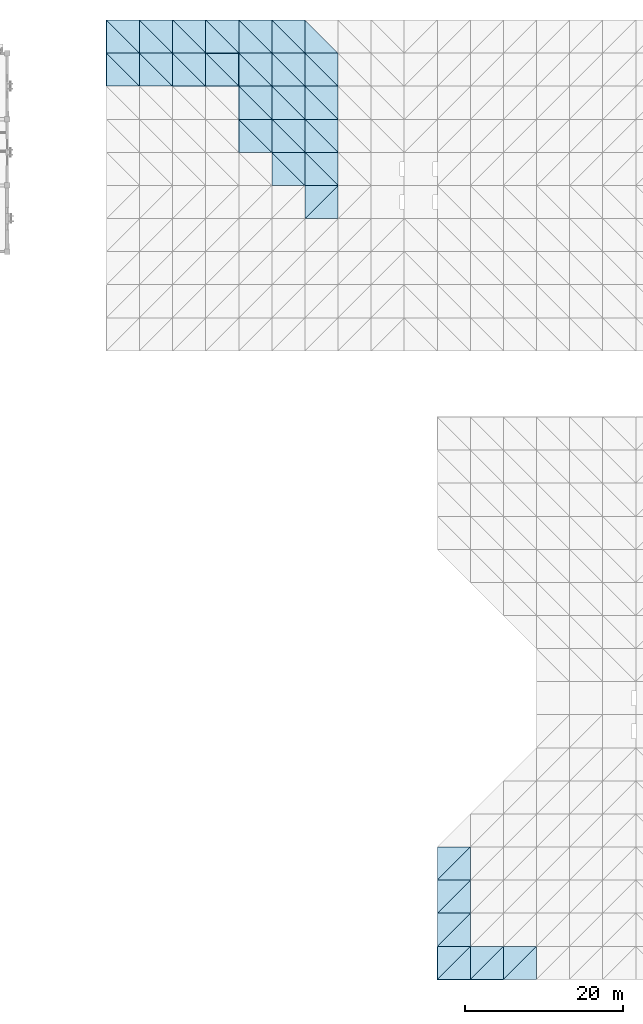
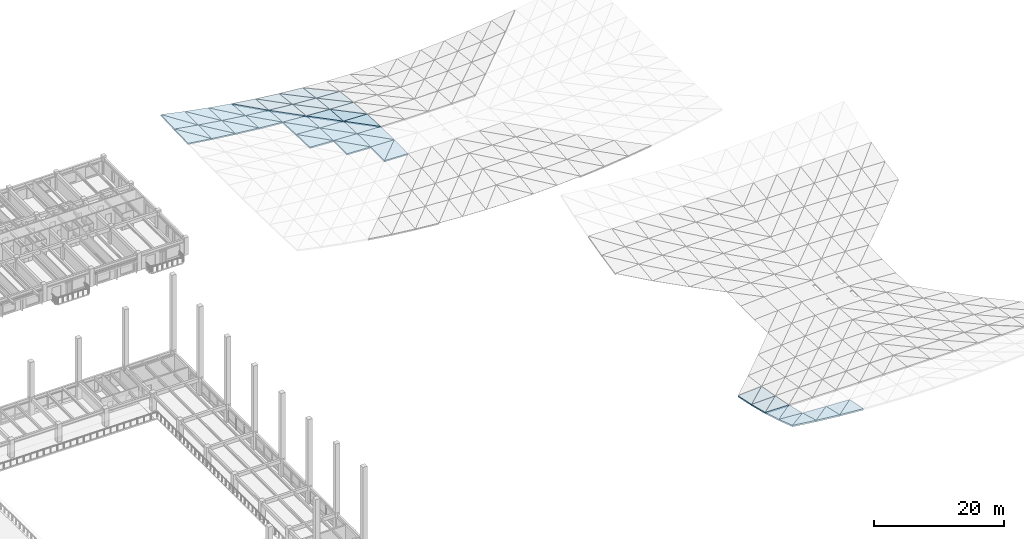
# One storey, part 20 of 64: 57 slabs.
"""IFC4 building model written with IfcOpenShell, lengths in metres."""

from ifc_helpers import new_model, si_unit, direction, frame, origin, place, context, subcontext, project, spatial, polyline, outline, extrude, material, layer, layer_set, type_object, element, save


model = new_model("IFC4")

# Units and contexts
model_context = context("Model", 3, precision=1e-05, world=origin(), true_north=direction((0.0, 1.0)))
body_context = subcontext(model_context, "Body", "Model", "MODEL_VIEW")
ifc_project = project(units=[si_unit("LENGTHUNIT", "METRE"), si_unit("AREAUNIT", "SQUARE_METRE"), si_unit("VOLUMEUNIT", "CUBIC_METRE"), si_unit("PLANEANGLEUNIT", "RADIAN"), si_unit("MASSUNIT", "GRAM", prefix="KILO")], contexts=[model_context])

# Site, building, storey
site_placement = place(None, origin())
site = spatial("IfcSite", under=ifc_project, at=site_placement, CompositionType="ELEMENT")
building_placement = place(site_placement, origin())
building = spatial("IfcBuilding", under=site, at=building_placement, Name="Cumbredor Promenade Congress Hotel", CompositionType="ELEMENT")
storey_placement = place(building_placement, frame((0.0, 0.0, 18.47998046875)))
storey = spatial("IfcBuildingStorey", under=building, at=storey_placement, Name="L05", CompositionType="ELEMENT", Elevation=18.47998046875)

# Slabs
ifc_material = material(Name="Concrete C40/50", Category="concrete")
ifc_layer = layer(ifc_material, 0.25, Name="Concrete C40/50", Category="concrete")
ifc_layer_set = layer_set([ifc_layer], Name="Concrete C40/50")
slab_type = type_object("IfcSlabType", Name="Catenary Space Frame Roof Deck 250mm", PredefinedType="ROOF", material=ifc_layer_set)
slab_1_placement = place(storey_placement, frame((138.60009765625, 0.0, 4.719970703125), z_axis=(0.118242562971, 0.267282671727, 0.956336065249), x_axis=(0.992442958388, 0.0, -0.122706863483)))
element("IfcSlab", 1, at=slab_1_placement, inside=storey, type_object=slab_type, Name="Grand Ballroom Pavilion Sweeping Roof Deck Facet 1.1.1", PredefinedType="ROOF", context=body_context, shape_type="SweptSolid", body=[
    extrude(outline(polyline([(0.0, 0.0), (4.231932058539838, 0.0), (4.375968826026281, 4.3585221948255874), (0.0, 0.0)])), origin(), (0.0, 0.0, -1.0), 0.25),
])
slab_2_placement = place(storey_placement, frame((138.60009765625, 0.0, 4.719970703125), z_axis=(0.06211809951, 0.31911112182, 0.945679350332), x_axis=(0.680018566113, 0.680018566113, -0.274134090333)))
element("IfcSlab", 2, at=slab_2_placement, inside=storey, type_object=slab_type, Name="Grand Ballroom Pavilion Sweeping Roof Deck Facet 1.1.2", PredefinedType="ROOF", context=body_context, shape_type="SweptSolid", body=[
    extrude(outline(polyline([(0.0, 0.0), (6.176230151892098, 5.551115123125783e-17), (3.2445575652412004, 3.0200984854351223), (0.0, 0.0)])), origin(), (0.0, 0.0, -1.0), 0.25),
])
slab_3_placement = place(storey_placement, frame((138.60009765625, 4.199951171875, 3.302734375), z_axis=(0.063677329507, 0.237014909652, 0.96941690222), x_axis=(0.997849616578, 0.0, -0.065544966967)))
element("IfcSlab", 3, at=slab_3_placement, inside=storey, type_object=slab_type, Name="Grand Ballroom Pavilion Sweeping Roof Deck Facet 1.2.1", PredefinedType="ROOF", context=body_context, shape_type="SweptSolid", body=[
    extrude(outline(polyline([(0.0, 0.0), (4.20900214029975, 0.0), (4.276307348078858, 4.323134511999573), (0.0, 0.0)])), origin(), (0.0, 0.0, -1.0), 0.25),
])
slab_4_placement = place(storey_placement, frame((138.60009765625, 4.199951171875, 3.302734375), z_axis=(0.014270419039, 0.283178627796, 0.958961010626), x_axis=(0.69068899424, 0.69068899424, -0.21423684667)))
element("IfcSlab", 4, at=slab_4_placement, inside=storey, type_object=slab_type, Name="Grand Ballroom Pavilion Sweeping Roof Deck Facet 1.2.2", PredefinedType="ROOF", context=body_context, shape_type="SweptSolid", body=[
    extrude(outline(polyline([(0.0, 0.0), (6.080813806068643, 8.326672684688674e-17), (3.166563952391797, 3.0250031217304003), (0.0, 0.0)])), origin(), (0.0, 0.0, -1.0), 0.25),
])
slab_5_placement = place(storey_placement, frame((138.60009765625, 8.39990234375, 2.0625), z_axis=(0.014563084466, 0.205122773939, 0.978627898735), x_axis=(0.99988929444, 0.0, -0.014879477962)))
element("IfcSlab", 5, at=slab_5_placement, inside=storey, type_object=slab_type, Name="Grand Ballroom Pavilion Sweeping Roof Deck Facet 1.3.1", PredefinedType="ROOF", context=body_context, shape_type="SweptSolid", body=[
    extrude(outline(polyline([(0.0, 0.0), (4.200416181300871, 1.734723475976807e-18), (4.213515643588519, 4.291447579773674), (0.0, 0.0)])), origin(), (0.0, 0.0, -1.0), 0.25),
])
slab_6_placement = place(storey_placement, frame((138.60009765625, 8.39990234375, 2.0625), z_axis=(-0.027714884433, 0.24525120471, 0.969063327017), x_axis=(0.698342651801, 0.698383246037, -0.156774941653)))
element("IfcSlab", 6, at=slab_6_placement, inside=storey, type_object=slab_type, Name="Grand Ballroom Pavilion Sweeping Roof Deck Facet 1.3.2", PredefinedType="ROOF", context=body_context, shape_type="SweptSolid", body=[
    extrude(outline(polyline([(0.0, 0.0), (6.01416963584421, 1.3877787807814457e-16), (3.099995962105173, 3.0268151222288786), (0.0, 0.0)])), origin(), (0.0, 0.0, -1.0), 0.25),
])
slab_7_placement = place(storey_placement, frame((138.60009765625, 12.60009765625, 0.99951171875), z_axis=(-0.028161900128, 0.172005101393, 0.984693430706), x_axis=(0.999591280357, 0.0, 0.028587973606)))
element("IfcSlab", 7, at=slab_7_placement, inside=storey, type_object=slab_type, Name="Grand Ballroom Pavilion Sweeping Roof Deck Facet 1.4.1", PredefinedType="ROOF", context=body_context, shape_type="SweptSolid", body=[
    extrude(outline(polyline([(0.0, 0.0), (4.2016684763159375, 0.0), (4.180695121656626, 4.263494036229725), (0.0, 0.0)])), origin(), (0.0, 0.0, -1.0), 0.25),
])
slab_8_placement = place(storey_placement, frame((138.60009765625, 12.60009765625, 0.99951171875), z_axis=(-0.063292145756, 0.205940721797, 0.976515500845), x_axis=(0.703364441624, 0.703364441624, -0.102746895414)))
element("IfcSlab", 8, at=slab_8_placement, inside=storey, type_object=slab_type, Name="Grand Ballroom Pavilion Sweeping Roof Deck Facet 1.4.2", PredefinedType="ROOF", context=body_context, shape_type="SweptSolid", body=[
    extrude(outline(polyline([(0.0, 0.0), (5.971230450854324, 2.220446049250313e-16), (3.0451035707576253, 3.0251402136447556), (0.0, 0.0)])), origin(), (0.0, 0.0, -1.0), 0.25),
])
slab_9_placement = place(storey_placement, frame((142.800048828125, 0.0, 4.20068359375), z_axis=(0.098109442037, 0.224902230425, 0.969429483837), x_axis=(0.994917953198, 0.0, -0.1006889587)))
element("IfcSlab", 9, at=slab_9_placement, inside=storey, type_object=slab_type, Name="Grand Ballroom Pavilion Sweeping Roof Deck Facet 2.1.1", PredefinedType="ROOF", context=body_context, shape_type="SweptSolid", body=[
    extrude(outline(polyline([(0.0, 0.0), (4.2214045473544255, 0.0), (4.319512368197227, 4.310377281814471), (0.0, 0.0)])), origin(), (0.0, 0.0, -1.0), 0.25),
])
slab_10_placement = place(storey_placement, frame((142.800048828125, 0.0, 4.20068359375), z_axis=(0.051660124766, 0.268811558307, 0.961806413801), x_axis=(0.688261938652, 0.688261938652, -0.229327293632)))
element("IfcSlab", 10, at=slab_10_placement, inside=storey, type_object=slab_type, Name="Grand Ballroom Pavilion Sweeping Roof Deck Facet 2.1.2", PredefinedType="ROOF", context=body_context, shape_type="SweptSolid", body=[
    extrude(outline(polyline([(0.0, 0.0), (6.102256911224823, -2.7755575615628914e-17), (3.1598573628960707, 3.00545566583949), (0.0, 0.0)])), origin(), (0.0, 0.0, -1.0), 0.25),
])
slab_11_placement = place(storey_placement, frame((147.0, 0.0, 3.775634765625), z_axis=(0.077021475836, 0.190904042029, 0.978582310793), x_axis=(0.996916905208, 0.0, -0.078464540467)))
element("IfcSlab", 11, at=slab_11_placement, inside=storey, type_object=slab_type, Name="Grand Ballroom Pavilion Sweeping Roof Deck Facet 3.1.1", PredefinedType="ROOF", context=body_context, shape_type="SweptSolid", body=[
    extrude(outline(polyline([(0.0, 0.0), (4.212940065450163, 0.0), (4.27722888327409, 4.278640925868399), (0.0, 0.0)])), origin(), (0.0, 0.0, -1.0), 0.25),
])
slab_12_placement = place(storey_placement, frame((147.0, 0.0, 3.775634765625), z_axis=(0.040680056233, 0.225805430357, 0.973322680639), x_axis=(0.694216714393, 0.694216714393, -0.190069216113)))
element("IfcSlab", 12, at=slab_12_placement, inside=storey, type_object=slab_type, Name="Grand Ballroom Pavilion Sweeping Roof Deck Facet 3.1.2", PredefinedType="ROOF", context=body_context, shape_type="SweptSolid", body=[
    extrude(outline(polyline([(0.0, 0.0), (6.049913643386169, 3.608224830031759e-16), (3.1008731394569846, 2.9955906310921425), (0.0, 0.0)])), origin(), (0.0, 0.0, -1.0), 0.25),
])
slab_13_placement = place(storey_placement, frame((96.60009765625, 113.39990234375, 3.677978515625), z_axis=(0.135665862375, -0.033669883897, 0.990182363358), x_axis=(0.990744106627, 0.0, -0.135742827374)))
element("IfcSlab", 13, at=slab_13_placement, inside=storey, type_object=slab_type, Name="Pre-Function and Breakout Meeting Forum Sweeping Roof Deck Facet 3.9.1", PredefinedType="ROOF", context=body_context, shape_type="SweptSolid", body=[
    extrude(outline(polyline([(0.0, 0.0), (4.23918865000686, 3.469446951953614e-18), (-0.019387098147941702, 4.202578137659148), (0.0, 0.0)])), origin(), (0.0, 0.0, -1.0), 0.25),
])
slab_14_placement = place(storey_placement, frame((100.800048828125, 113.39990234375, 3.1025390625), z_axis=(0.16834670319, -0.000229185729, 0.985727819938), x_axis=(0.0, 0.999999972971, 0.000232504063)))
element("IfcSlab", 14, at=slab_14_placement, inside=storey, type_object=slab_type, Name="Pre-Function and Breakout Meeting Forum Sweeping Roof Deck Facet 3.9.2", PredefinedType="ROOF", context=body_context, shape_type="SweptSolid", body=[
    extrude(outline(polyline([(0.0, 0.0), (4.200195426027376, 0.0), (4.200362197740201, 4.260761412435338), (0.0, 0.0)])), origin(), (0.0, 0.0, -1.0), 0.25),
])
slab_15_placement = place(storey_placement, frame((96.60009765625, 117.60009765625, 3.82080078125), z_axis=(0.168190640377, -0.043049476366, 0.98481401852), x_axis=(0.985727845826, 0.0, -0.168346707611)))
element("IfcSlab", 15, at=slab_15_placement, inside=storey, type_object=slab_type, Name="Pre-Function and Breakout Meeting Forum Sweeping Roof Deck Facet 3.10.1", PredefinedType="ROOF", context=body_context, shape_type="SweptSolid", body=[
    extrude(outline(polyline([(0.0, 0.0), (4.260761415699167, 0.0), (-0.03090740335050279, 4.2038483849434165), (0.0, 0.0)])), origin(), (0.0, 0.0, -1.0), 0.25),
])
slab_16_placement = place(storey_placement, frame((100.800048828125, 117.60009765625, 3.103515625), z_axis=(0.209346621689, -0.000397889316, 0.9778414154), x_axis=(0.0, 0.999999917214, 0.000406905739)))
element("IfcSlab", 16, at=slab_16_placement, inside=storey, type_object=slab_type, Name="Pre-Function and Breakout Meeting Forum Sweeping Roof Deck Facet 3.10.2", PredefinedType="ROOF", context=body_context, shape_type="SweptSolid", body=[
    extrude(outline(polyline([(0.0, 0.0), (4.199951519572789, -5.421010862427522e-20), (4.200317396973943, 4.295124708395858), (0.0, 0.0)])), origin(), (0.0, 0.0, -1.0), 0.25),
])
slab_17_placement = place(storey_placement, frame((100.800048828125, 113.39990234375, 3.1025390625), z_axis=(0.120034927411, -0.000230822981, 0.992769642426), x_axis=(0.992769668873, 0.0, -0.120034930608)))
element("IfcSlab", 17, at=slab_17_placement, inside=storey, type_object=slab_type, Name="Pre-Function and Breakout Meeting Forum Sweeping Roof Deck Facet 4.9.1", PredefinedType="ROOF", context=body_context, shape_type="SweptSolid", body=[
    extrude(outline(polyline([(0.0, 0.0), (4.230539372383909, 0.0), (-0.00011722161192221794, 4.20019542439163), (0.0, 0.0)])), origin(), (0.0, 0.0, -1.0), 0.25),
])
slab_18_placement = place(storey_placement, frame((105.0, 113.39990234375, 2.5947265625), z_axis=(0.148870309727, 0.029128853663, 0.988427610281), x_axis=(0.0, 0.999566045409, -0.029457102129)))
element("IfcSlab", 18, at=slab_18_placement, inside=storey, type_object=slab_type, Name="Pre-Function and Breakout Meeting Forum Sweeping Roof Deck Facet 4.9.2", PredefinedType="ROOF", context=body_context, shape_type="SweptSolid", body=[
    extrude(outline(polyline([(0.0, 0.0), (4.202018797849654, 0.0), (4.183385167084156, 4.247279760413842), (0.0, 0.0)])), origin(), (0.0, 0.0, -1.0), 0.25),
])
slab_19_placement = place(storey_placement, frame((100.800048828125, 117.60009765625, 3.103515625), z_axis=(0.148933495384, -0.000402367606, 0.988847132803), x_axis=(0.98884721285, 0.0, -0.14893350744)))
element("IfcSlab", 19, at=slab_19_placement, inside=storey, type_object=slab_type, Name="Pre-Function and Breakout Meeting Forum Sweeping Roof Deck Facet 4.10.1", PredefinedType="ROOF", context=body_context, shape_type="SweptSolid", body=[
    extrude(outline(polyline([(0.0, 0.0), (4.247320634872833, 0.0), (-0.0002545250371293494, 4.199951511860439), (0.0, 0.0)])), origin(), (0.0, 0.0, -1.0), 0.25),
])
slab_20_placement = place(storey_placement, frame((105.0, 117.60009765625, 2.470947265625), z_axis=(0.185508201988, 0.037215799291, 0.981937722709), x_axis=(0.0, 0.999282553953, -0.037873174747)))
element("IfcSlab", 20, at=slab_20_placement, inside=storey, type_object=slab_type, Name="Pre-Function and Breakout Meeting Forum Sweeping Roof Deck Facet 4.10.2", PredefinedType="ROOF", context=body_context, shape_type="SweptSolid", body=[
    extrude(outline(polyline([(0.0, 0.0), (4.202966573629487, -3.469446951953614e-18), (4.172915836830506, 4.274138610268985), (0.0, 0.0)])), origin(), (0.0, 0.0, -1.0), 0.25),
])
slab_21_placement = place(storey_placement, frame((105.0, 113.39990234375, 2.5947265625), z_axis=(0.104191626077, 0.029296774213, 0.994125648033), x_axis=(0.99455255237, 0.0, -0.104236368768)))
element("IfcSlab", 21, at=slab_21_placement, inside=storey, type_object=slab_type, Name="Pre-Function and Breakout Meeting Forum Sweeping Roof Deck Facet 5.9.1", PredefinedType="ROOF", context=body_context, shape_type="SweptSolid", body=[
    extrude(outline(polyline([(0.0, 0.0), (4.222955500808863, 1.734723475976807e-18), (0.012902304434959986, 4.2019989895313055), (0.0, 0.0)])), origin(), (0.0, 0.0, -1.0), 0.25),
])
slab_22_placement = place(storey_placement, frame((109.199951171875, 113.39990234375, 2.154541015625), z_axis=(0.12926629515, 0.0546731266, 0.990101547401), x_axis=(0.0, 0.998478869274, -0.055135719938)))
element("IfcSlab", 22, at=slab_22_placement, inside=storey, type_object=slab_type, Name="Pre-Function and Breakout Meeting Forum Sweeping Roof Deck Facet 5.9.2", PredefinedType="ROOF", context=body_context, shape_type="SweptSolid", body=[
    extrude(outline(polyline([(0.0, 0.0), (4.206594092024659, 0.0), (4.176360979968906, 4.235487267046543), (0.0, 0.0)])), origin(), (0.0, 0.0, -1.0), 0.25),
])
slab_23_placement = place(storey_placement, frame((105.0, 117.60009765625, 2.470947265625), z_axis=(0.129368602084, 0.037554910311, 0.990885156568), x_axis=(0.991584654556, 0.0, -0.129459927579)))
element("IfcSlab", 23, at=slab_23_placement, inside=storey, type_object=slab_type, Name="Pre-Function and Breakout Meeting Forum Sweeping Roof Deck Facet 5.10.1", PredefinedType="ROOF", context=body_context, shape_type="SweptSolid", body=[
    extrude(outline(polyline([(0.0, 0.0), (4.235595168376927, 0.0), (0.020607390815721216, 4.202916053704922), (0.0, 0.0)])), origin(), (0.0, 0.0, -1.0), 0.25),
])
slab_24_placement = place(storey_placement, frame((109.199951171875, 117.60009765625, 1.922607421875), z_axis=(0.161202032939, 0.069985831127, 0.984436838003), x_axis=(0.0, 0.997482484736, -0.070913275524)))
element("IfcSlab", 24, at=slab_24_placement, inside=storey, type_object=slab_type, Name="Pre-Function and Breakout Meeting Forum Sweeping Roof Deck Facet 5.10.2", PredefinedType="ROOF", context=body_context, shape_type="SweptSolid", body=[
    extrude(outline(polyline([(0.0, 0.0), (4.210551299041426, 0.0), (4.161781109307573, 4.255608454462362), (0.0, 0.0)])), origin(), (0.0, 0.0, -1.0), 0.25),
])
slab_25_placement = place(storey_placement, frame((109.199951171875, 113.39990234375, 2.154541015625), z_axis=(0.088167785104, 0.054921001475, 0.994590430915), x_axis=(0.996093832538, 0.0, -0.088301057642)))
element("IfcSlab", 25, at=slab_25_placement, inside=storey, type_object=slab_type, Name="Pre-Function and Breakout Meeting Forum Sweeping Roof Deck Facet 6.9.1", PredefinedType="ROOF", context=body_context, shape_type="SweptSolid", body=[
    extrude(outline(polyline([(0.0, 0.0), (4.216421219249798, 3.469446951953614e-18), (0.02047998163089391, 4.206544237899937), (0.0, 0.0)])), origin(), (0.0, 0.0, -1.0), 0.25),
])
slab_26_placement = place(storey_placement, frame((113.39990234375, 113.39990234375, 1.7822265625), z_axis=(0.109514514446, 0.076384958082, 0.991045866398), x_axis=(0.0, 0.997042883289, -0.076847178752)))
element("IfcSlab", 26, at=slab_26_placement, inside=storey, type_object=slab_type, Name="Pre-Function and Breakout Meeting Forum Sweeping Roof Deck Facet 6.9.2", PredefinedType="ROOF", context=body_context, shape_type="SweptSolid", body=[
    extrude(outline(polyline([(0.0, 0.0), (4.212652617952739, 0.0), (4.176986971759698, 4.225365917019468), (0.0, 0.0)])), origin(), (0.0, 0.0, -1.0), 0.25),
])
slab_27_placement = place(storey_placement, frame((109.199951171875, 117.60009765625, 1.922607421875), z_axis=(0.109562220484, 0.070486373304, 0.991477579687), x_axis=(0.993949788889, 0.0, -0.109835409445)))
element("IfcSlab", 27, at=slab_27_placement, inside=storey, type_object=slab_type, Name="Pre-Function and Breakout Meeting Forum Sweeping Roof Deck Facet 6.10.1", PredefinedType="ROOF", context=body_context, shape_type="SweptSolid", body=[
    extrude(outline(polyline([(0.0, 0.0), (4.2255164383810095, 0.0), (0.0327950941774659, 4.210423580075682), (0.0, 0.0)])), origin(), (0.0, 0.0, -1.0), 0.25),
])
slab_28_placement = place(storey_placement, frame((113.39990234375, 117.60009765625, 1.45849609375), z_axis=(0.136555679949, 0.097703497404, 0.985802501959), x_axis=(0.0, 0.995124432433, -0.098627399715)))
element("IfcSlab", 28, at=slab_28_placement, inside=storey, type_object=slab_type, Name="Pre-Function and Breakout Meeting Forum Sweeping Roof Deck Facet 6.10.2", PredefinedType="ROOF", context=body_context, shape_type="SweptSolid", body=[
    extrude(outline(polyline([(0.0, 0.0), (4.220528644448746, -6.938893903907228e-18), (4.163148494663336, 4.239666685622787), (0.0, 0.0)])), origin(), (0.0, 0.0, -1.0), 0.25),
])
slab_29_placement = place(storey_placement, frame((113.39990234375, 105.0, 2.15234375), z_axis=(0.052039931301, 0.033012756035, 0.998099195215), x_axis=(0.998643525423, 0.0, -0.052068312154)))
element("IfcSlab", 29, at=slab_29_placement, inside=storey, type_object=slab_type, Name="Pre-Function and Breakout Meeting Forum Sweeping Roof Deck Facet 7.7.1", PredefinedType="ROOF", context=body_context, shape_type="SweptSolid", body=[
    extrude(outline(polyline([(0.0, 0.0), (4.205900509614446, 0.0), (0.0072331224648094945, 4.202241685989839), (0.0, 0.0)])), origin(), (0.0, 0.0, -1.0), 0.25),
])
slab_30_placement = place(storey_placement, frame((117.60009765625, 105.0, 1.933349609375), z_axis=(0.05959801279, 0.040584663454, 0.997397093421), x_axis=(0.0, 0.999173165078, -0.040656932835)))
element("IfcSlab", 30, at=slab_30_placement, inside=storey, type_object=slab_type, Name="Pre-Function and Breakout Meeting Forum Sweeping Roof Deck Facet 7.7.2", PredefinedType="ROOF", context=body_context, shape_type="SweptSolid", body=[
    extrude(outline(polyline([(0.0, 0.0), (4.203426711871414, 0.0), (4.193222774626776, 4.207674628311462), (0.0, 0.0)])), origin(), (0.0, 0.0, -1.0), 0.25),
])
slab_31_placement = place(storey_placement, frame((113.39990234375, 109.199951171875, 2.013427734375), z_axis=(0.059557305235, 0.054867749611, 0.996715835856), x_axis=(0.998219523348, 0.0, -0.059647155894)))
element("IfcSlab", 31, at=slab_31_placement, inside=storey, type_object=slab_type, Name="Pre-Function and Breakout Meeting Forum Sweeping Roof Deck Facet 7.8.1", PredefinedType="ROOF", context=body_context, shape_type="SweptSolid", body=[
    extrude(outline(polyline([(0.0, 0.0), (4.207687000962797, 0.0), (0.013790492341726404, 4.206287395118352), (0.0, 0.0)])), origin(), (0.0, 0.0, -1.0), 0.25),
])
slab_32_placement = place(storey_placement, frame((117.60009765625, 109.199951171875, 1.762451171875), z_axis=(0.072186117772, 0.06750488488, 0.99510414275), x_axis=(0.0, 0.997706981448, -0.067681453662)))
element("IfcSlab", 32, at=slab_32_placement, inside=storey, type_object=slab_type, Name="Pre-Function and Breakout Meeting Forum Sweeping Roof Deck Facet 7.8.2", PredefinedType="ROOF", context=body_context, shape_type="SweptSolid", body=[
    extrude(outline(polyline([(0.0, 0.0), (4.209603871649053, 3.469446951953614e-18), (4.188982178736368, 4.21118153035281), (0.0, 0.0)])), origin(), (0.0, 0.0, -1.0), 0.25),
])
slab_33_placement = place(storey_placement, frame((113.39990234375, 113.39990234375, 1.7822265625), z_axis=(0.072138319053, 0.076646963994, 0.994445225156), x_axis=(0.997379220956, 0.0, -0.072351154833)))
element("IfcSlab", 33, at=slab_33_placement, inside=storey, type_object=slab_type, Name="Pre-Function and Breakout Meeting Forum Sweeping Roof Deck Facet 7.9.1", PredefinedType="ROOF", context=body_context, shape_type="SweptSolid", body=[
    extrude(outline(polyline([(0.0, 0.0), (4.211232021131491, 3.469446951953614e-18), (0.023422273268800687, 4.21258750373912), (0.0, 0.0)])), origin(), (0.0, 0.0, -1.0), 0.25),
])
slab_34_placement = place(storey_placement, frame((117.60009765625, 113.39990234375, 1.4775390625), z_axis=(0.089619431398, 0.094114811237, 0.991519419791), x_axis=(0.0, 0.995525331291, -0.0944950515)))
element("IfcSlab", 34, at=slab_34_placement, inside=storey, type_object=slab_type, Name="Pre-Function and Breakout Meeting Forum Sweeping Roof Deck Facet 7.9.2", PredefinedType="ROOF", context=body_context, shape_type="SweptSolid", body=[
    extrude(outline(polyline([(0.0, 0.0), (4.219074272126341, 6.938893903907228e-18), (4.183200296276293, 4.217164834599983), (0.0, 0.0)])), origin(), (0.0, 0.0, -1.0), 0.25),
])
slab_35_placement = place(storey_placement, frame((113.39990234375, 117.60009765625, 1.45849609375), z_axis=(0.089583631267, 0.098230848875, 0.991123339115), x_axis=(0.995940048742, 0.0, -0.090018994175)))
element("IfcSlab", 35, at=slab_35_placement, inside=storey, type_object=slab_type, Name="Pre-Function and Breakout Meeting Forum Sweeping Roof Deck Facet 7.10.1", PredefinedType="ROOF", context=body_context, shape_type="SweptSolid", body=[
    extrude(outline(polyline([(0.0, 0.0), (4.217317415648244, 0.0), (0.03747128541724508, 4.2203622997773005), (0.0, 0.0)])), origin(), (0.0, 0.0, -1.0), 0.25),
])
slab_36_placement = place(storey_placement, frame((117.60009765625, 117.60009765625, 1.078857421875), z_axis=(0.111749272645, 0.120356776918, 0.986420978241), x_axis=(0.0, 0.992638434688, -0.121115391177)))
element("IfcSlab", 36, at=slab_36_placement, inside=storey, type_object=slab_type, Name="Pre-Function and Breakout Meeting Forum Sweeping Roof Deck Facet 7.10.2", PredefinedType="ROOF", context=body_context, shape_type="SweptSolid", body=[
    extrude(outline(polyline([(0.0, 0.0), (4.231098681157206, 0.0), (4.173468335111522, 4.226669335257973), (0.0, 0.0)])), origin(), (0.0, 0.0, -1.0), 0.25),
])
slab_37_placement = place(storey_placement, frame((117.60009765625, 100.800048828125, 1.990234375), z_axis=(0.038507672945, 0.013532862438, 0.999166663154), x_axis=(0.999258168598, 0.0, -0.038511199545)))
element("IfcSlab", 37, at=slab_37_placement, inside=storey, type_object=slab_type, Name="Pre-Function and Breakout Meeting Forum Sweeping Roof Deck Facet 8.6.1", PredefinedType="ROOF", context=body_context, shape_type="SweptSolid", body=[
    extrude(outline(polyline([(0.0, 0.0), (4.20306914054878, 0.0), (0.0021907005600805694, 4.2003358108043525), (0.0, 0.0)])), origin(), (0.0, 0.0, -1.0), 0.25),
])
slab_38_placement = place(storey_placement, frame((121.800048828125, 100.800048828125, 1.828369140625), z_axis=(0.040536050793, 0.015563985118, 0.999056850711), x_axis=(0.0, 0.999878674477, -0.015576788046)))
element("IfcSlab", 38, at=slab_38_placement, inside=storey, type_object=slab_type, Name="Pre-Function and Breakout Meeting Forum Sweeping Roof Deck Facet 8.6.2", PredefinedType="ROOF", context=body_context, shape_type="SweptSolid", body=[
    extrude(outline(polyline([(0.0, 0.0), (4.200460794977205, 4.336808689942018e-19), (4.197806352092368, 4.203406050028988), (0.0, 0.0)])), origin(), (0.0, 0.0, -1.0), 0.25),
])
slab_39_placement = place(storey_placement, frame((117.60009765625, 105.0, 1.933349609375), z_axis=(0.040507495707, 0.04062356303, 0.998353078284), x_axis=(0.999177877283, 0.0, -0.040540961364)))
element("IfcSlab", 39, at=slab_39_placement, inside=storey, type_object=slab_type, Name="Pre-Function and Breakout Meeting Forum Sweeping Roof Deck Facet 8.7.1", PredefinedType="ROOF", context=body_context, shape_type="SweptSolid", body=[
    extrude(outline(polyline([(0.0, 0.0), (4.203406888166709, 0.0), (0.006928386951841727, 4.203421001937395), (0.0, 0.0)])), origin(), (0.0, 0.0, -1.0), 0.25),
])
slab_40_placement = place(storey_placement, frame((121.800048828125, 105.0, 1.762939453125), z_axis=(0.046403024338, 0.046519031899, 0.997839034616), x_axis=(0.0, 0.998915066439, -0.046569196261)))
element("IfcSlab", 40, at=slab_40_placement, inside=storey, type_object=slab_type, Name="Pre-Function and Breakout Meeting Forum Sweeping Roof Deck Facet 8.7.2", PredefinedType="ROOF", context=body_context, shape_type="SweptSolid", body=[
    extrude(outline(polyline([(0.0, 0.0), (4.2045127889057845, 1.734723475976807e-18), (4.1954172427609855, 4.204480240152256), (0.0, 0.0)])), origin(), (0.0, 0.0, -1.0), 0.25),
])
slab_41_placement = place(storey_placement, frame((117.60009765625, 109.199951171875, 1.762451171875), z_axis=(0.046347025276, 0.067608723121, 0.996634844768), x_axis=(0.998920462084, 0.0, -0.046453314519)))
element("IfcSlab", 41, at=slab_41_placement, inside=storey, type_object=slab_type, Name="Pre-Function and Breakout Meeting Forum Sweeping Roof Deck Facet 8.8.1", PredefinedType="ROOF", context=body_context, shape_type="SweptSolid", body=[
    extrude(outline(polyline([(0.0, 0.0), (4.204490078331787, 0.0), (0.013235111827017006, 4.209583065817521), (0.0, 0.0)])), origin(), (0.0, 0.0, -1.0), 0.25),
])
slab_42_placement = place(storey_placement, frame((121.800048828125, 109.199951171875, 1.567138671875), z_axis=(0.05612737267, 0.077363193051, 0.995421847459), x_axis=(0.0, 0.996993491522, -0.07748533966)))
element("IfcSlab", 42, at=slab_42_placement, inside=storey, type_object=slab_type, Name="Pre-Function and Breakout Meeting Forum Sweeping Roof Deck Facet 8.8.2", PredefinedType="ROOF", context=body_context, shape_type="SweptSolid", body=[
    extrude(outline(polyline([(0.0, 0.0), (4.21261643891189, 3.469446951953614e-18), (4.194266639236626, 4.2065823587866715), (0.0, 0.0)])), origin(), (0.0, 0.0, -1.0), 0.25),
])
slab_43_placement = place(storey_placement, frame((117.60009765625, 113.39990234375, 1.4775390625), z_axis=(0.056044980003, 0.094346528421, 0.993960609276), x_axis=(0.998414117425, 0.0, -0.05629609335)))
element("IfcSlab", 43, at=slab_43_placement, inside=storey, type_object=slab_type, Name="Pre-Function and Breakout Meeting Forum Sweeping Roof Deck Facet 8.9.1", PredefinedType="ROOF", context=body_context, shape_type="SweptSolid", body=[
    extrude(outline(polyline([(0.0, 0.0), (4.206622381008706, 0.0), (0.02244421885760682, 4.219014573423311), (0.0, 0.0)])), origin(), (0.0, 0.0, -1.0), 0.25),
])
slab_44_placement = place(storey_placement, frame((121.800048828125, 113.39990234375, 1.24072265625), z_axis=(0.069696153206, 0.107910351556, 0.991714577011), x_axis=(0.0, 0.994132041248, -0.108173400443)))
element("IfcSlab", 44, at=slab_44_placement, inside=storey, type_object=slab_type, Name="Pre-Function and Breakout Meeting Forum Sweeping Roof Deck Facet 8.9.2", PredefinedType="ROOF", context=body_context, shape_type="SweptSolid", body=[
    extrude(outline(polyline([(0.0, 0.0), (4.224987364078564, -6.938893903907228e-18), (4.193058252473272, 4.210189230277686), (0.0, 0.0)])), origin(), (0.0, 0.0, -1.0), 0.25),
])
slab_45_placement = place(storey_placement, frame((117.60009765625, 117.60009765625, 1.078857421875), z_axis=(0.069591947632, 0.120821751926, 0.990231823911), x_axis=(0.997539580824, 0.0, -0.070105525386)))
element("IfcSlab", 45, at=slab_45_placement, inside=storey, type_object=slab_type, Name="Pre-Function and Breakout Meeting Forum Sweeping Roof Deck Facet 8.10.1", PredefinedType="ROOF", context=body_context, shape_type="SweptSolid", body=[
    extrude(outline(polyline([(0.0, 0.0), (4.210310300074583, 0.0), (0.035925658638990665, 4.2309461585727615), (0.0, 0.0)])), origin(), (0.0, 0.0, -1.0), 0.25),
])
slab_46_placement = place(storey_placement, frame((121.800048828125, 117.60009765625, 0.78369140625), z_axis=(0.087000458678, 0.138042257112, 0.986597818486), x_axis=(0.0, 0.990352968068, -0.138567668089)))
element("IfcSlab", 46, at=slab_46_placement, inside=storey, type_object=slab_type, Name="Pre-Function and Breakout Meeting Forum Sweeping Roof Deck Facet 8.10.2", PredefinedType="ROOF", context=body_context, shape_type="SweptSolid", body=[
    extrude(outline(polyline([(0.0, 0.0), (4.240862911806096, -6.938893903907228e-18), (4.189542806217392, 4.215936859852987), (0.0, 0.0)])), origin(), (0.0, 0.0, -1.0), 0.25),
])
slab_47_placement = place(storey_placement, frame((121.800048828125, 96.60009765625, 1.762939453125), z_axis=(0.02893215325, -0.016964234436, 0.999437414378), x_axis=(0.999581257099, 0.0, -0.028936317272)))
element("IfcSlab", 47, at=slab_47_placement, inside=storey, type_object=slab_type, Name="Pre-Function and Breakout Meeting Forum Sweeping Roof Deck Facet 9.5.1", PredefinedType="ROOF", context=body_context, shape_type="SweptSolid", body=[
    extrude(outline(polyline([(0.0, 0.0), (4.2017106083662, 0.0), (4.199647765435657, 4.200555644345801), (0.0, 0.0)])), origin(), (0.0, 0.0, -1.0), 0.25),
])
slab_48_placement = place(storey_placement, frame((121.800048828125, 96.60009765625, 1.762939453125), z_axis=(0.027539541497, -0.015570880003, 0.999499435393), x_axis=(0.707081434119, 0.707081434119, -0.008467056643)))
element("IfcSlab", 48, at=slab_48_placement, inside=storey, type_object=slab_type, Name="Pre-Function and Breakout Meeting Forum Sweeping Roof Deck Facet 9.5.2", PredefinedType="ROOF", context=body_context, shape_type="SweptSolid", body=[
    extrude(outline(polyline([(0.0, 0.0), (5.939840829094166, -1.472346550235315e-16), (2.969153500969316, 2.9711947727845427), (0.0, 0.0)])), origin(), (0.0, 0.0, -1.0), 0.25),
])
slab_49_placement = place(storey_placement, frame((121.800048828125, 100.800048828125, 1.828369140625), z_axis=(0.027539541497, 0.015570880003, 0.999499435393), x_axis=(0.9996206229, 0.0, -0.027542880617)))
element("IfcSlab", 49, at=slab_49_placement, inside=storey, type_object=slab_type, Name="Pre-Function and Breakout Meeting Forum Sweeping Roof Deck Facet 9.6.1", PredefinedType="ROOF", context=body_context, shape_type="SweptSolid", body=[
    extrude(outline(polyline([(0.0, 0.0), (4.20154514188575, 2.168404344971009e-19), (0.0018021220716217443, 4.20046040839532), (0.0, 0.0)])), origin(), (0.0, 0.0, -1.0), 0.25),
])
slab_50_placement = place(storey_placement, frame((126.0, 100.800048828125, 1.712646484375), z_axis=(0.02893215325, 0.016964234436, 0.999437414378), x_axis=(0.0, 0.999855976455, -0.016971339018)))
element("IfcSlab", 50, at=slab_50_placement, inside=storey, type_object=slab_type, Name="Pre-Function and Breakout Meeting Forum Sweeping Roof Deck Facet 9.6.2", PredefinedType="ROOF", context=body_context, shape_type="SweptSolid", body=[
    extrude(outline(polyline([(0.0, 0.0), (4.200556150864587, 4.336808689942018e-19), (4.1984927409937605, 4.201710101708205), (0.0, 0.0)])), origin(), (0.0, 0.0, -1.0), 0.25),
])
slab_51_placement = place(storey_placement, frame((121.800048828125, 105.0, 1.762939453125), z_axis=(0.028904949534, 0.046549738005, 0.998497684416), x_axis=(0.999581257099, 0.0, -0.028936317272)))
element("IfcSlab", 51, at=slab_51_placement, inside=storey, type_object=slab_type, Name="Pre-Function and Breakout Meeting Forum Sweeping Roof Deck Facet 9.7.1", PredefinedType="ROOF", context=body_context, shape_type="SweptSolid", body=[
    extrude(outline(polyline([(0.0, 0.0), (4.2017106083662, 0.0), (0.005665753528410807, 4.204508971486356), (0.0, 0.0)])), origin(), (0.0, 0.0, -1.0), 0.25),
])
slab_52_placement = place(storey_placement, frame((126.0, 105.0, 1.641357421875), z_axis=(0.033130835392, 0.050769668946, 0.998160702723), x_axis=(0.0, 0.998708970793, -0.050797555627)))
element("IfcSlab", 52, at=slab_52_placement, inside=storey, type_object=slab_type, Name="Pre-Function and Breakout Meeting Forum Sweeping Roof Deck Facet 9.7.2", PredefinedType="ROOF", context=body_context, shape_type="SweptSolid", body=[
    extrude(outline(polyline([(0.0, 0.0), (4.205380440850785, 8.673617379884035e-19), (4.198299043325695, 4.202258114148926), (0.0, 0.0)])), origin(), (0.0, 0.0, -1.0), 0.25),
])
slab_53_placement = place(storey_placement, frame((121.800048828125, 109.199951171875, 1.567138671875), z_axis=(0.033073988966, 0.077442947893, 0.996448042336), x_axis=(0.999449604118, 0.0, -0.033173616459)))
element("IfcSlab", 53, at=slab_53_placement, inside=storey, type_object=slab_type, Name="Pre-Function and Breakout Meeting Forum Sweeping Roof Deck Facet 9.8.1", PredefinedType="ROOF", context=body_context, shape_type="SweptSolid", body=[
    extrude(outline(polyline([(0.0, 0.0), (4.202264080721415, 0.0), (0.01082839970855196, 4.212602521856346), (0.0, 0.0)])), origin(), (0.0, 0.0, -1.0), 0.25),
])
slab_54_placement = place(storey_placement, frame((126.0, 109.199951171875, 1.427734375), z_axis=(0.04010727364, 0.084439411603, 0.995621108841), x_axis=(0.0, 0.996422851, -0.084507407988)))
element("IfcSlab", 54, at=slab_54_placement, inside=storey, type_object=slab_type, Name="Pre-Function and Breakout Meeting Forum Sweeping Roof Deck Facet 9.8.2", PredefinedType="ROOF", context=body_context, shape_type="SweptSolid", body=[
    extrude(outline(polyline([(0.0, 0.0), (4.215028958498306, 0.0), (4.200731196355887, 4.203333259590613), (0.0, 0.0)])), origin(), (0.0, 0.0, -1.0), 0.25),
])
slab_55_placement = place(storey_placement, frame((121.800048828125, 113.39990234375, 1.24072265625), z_axis=(0.040015213479, 0.108086761186, 0.99333581167), x_axis=(0.999189599097, 0.0, -0.040251025529)))
element("IfcSlab", 55, at=slab_55_placement, inside=storey, type_object=slab_type, Name="Pre-Function and Breakout Meeting Forum Sweeping Roof Deck Facet 9.9.1", PredefinedType="ROOF", context=body_context, shape_type="SweptSolid", body=[
    extrude(outline(polyline([(0.0, 0.0), (4.203357576650233, 0.0), (0.018395976511272064, 4.224947315017281), (0.0, 0.0)])), origin(), (0.0, 0.0, -1.0), 0.25),
])
slab_56_placement = place(storey_placement, frame((126.0, 113.39990234375, 1.071533203125), z_axis=(0.049811463518, 0.117776510165, 0.991790054273), x_axis=(0.0, 0.993022754428, -0.1179228951)))
element("IfcSlab", 56, at=slab_56_placement, inside=storey, type_object=slab_type, Name="Pre-Function and Breakout Meeting Forum Sweeping Roof Deck Facet 9.9.2", PredefinedType="ROOF", context=body_context, shape_type="SweptSolid", body=[
    extrude(outline(polyline([(0.0, 0.0), (4.22970701705663, 3.469446951953614e-18), (4.204832656371528, 4.205171309378603), (0.0, 0.0)])), origin(), (0.0, 0.0, -1.0), 0.25),
])
slab_57_placement = place(storey_placement, frame((121.800048828125, 117.60009765625, 0.78369140625), z_axis=(0.049677874102, 0.138396577503, 0.989130171494), x_axis=(0.998741166039, 0.0, -0.050160574752)))
element("IfcSlab", 57, at=slab_57_placement, inside=storey, type_object=slab_type, Name="Pre-Function and Breakout Meeting Forum Sweeping Roof Deck Facet 9.10.1", PredefinedType="ROOF", context=body_context, shape_type="SweptSolid", body=[
    extrude(outline(polyline([(0.0, 0.0), (4.205244876941228, 0.0), (0.029476685407203697, 4.240760469744771), (0.0, 0.0)])), origin(), (0.0, 0.0, -1.0), 0.25),
])

save(model, "model.ifc")
